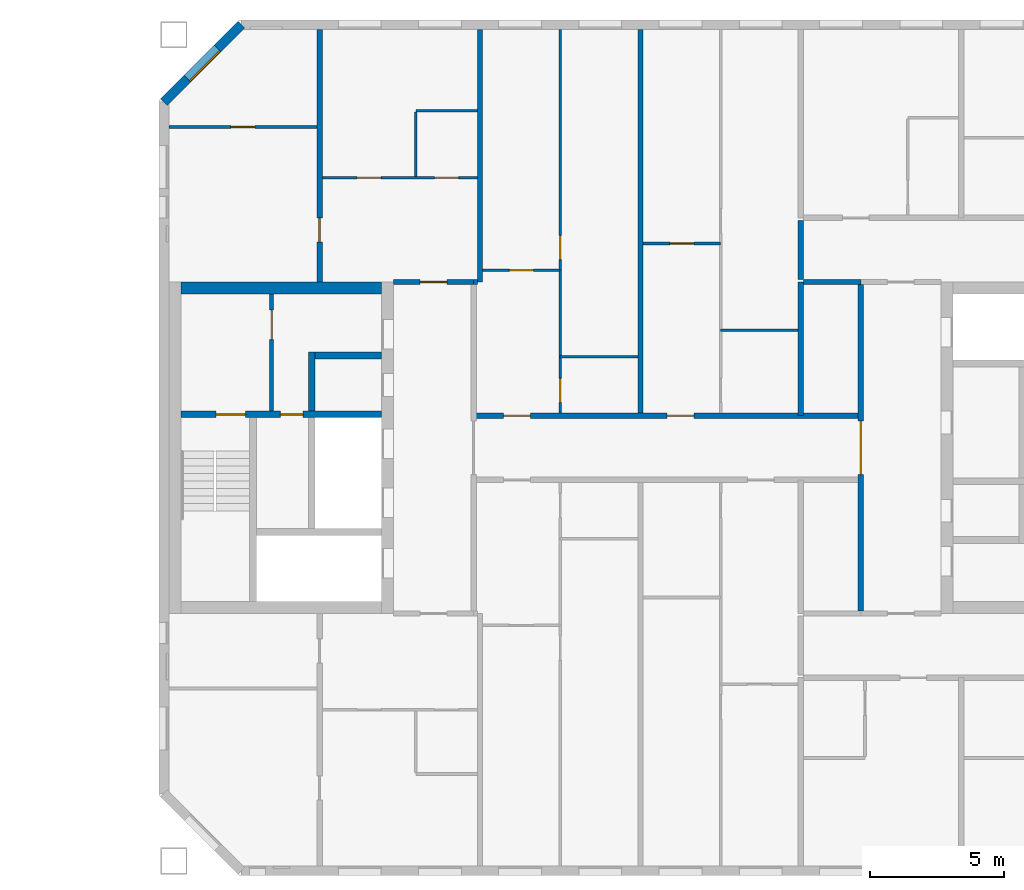
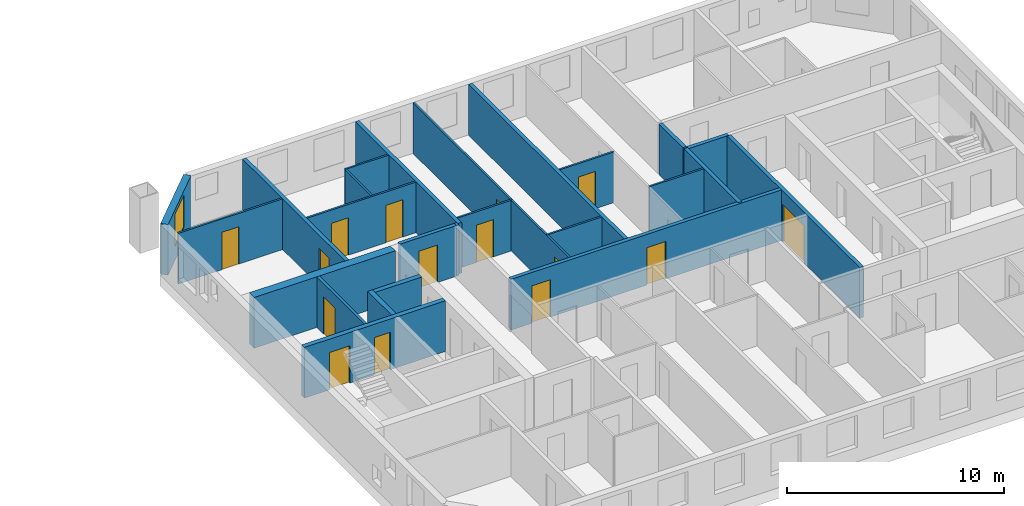
# One storey, part 11 of 16: 25 walls, 15 doors, 1 window, 16 openings.
"""IFC4 building model written with IfcOpenShell, lengths in metres."""

import ifcopenshell
import ifcopenshell.guid

model = None  # the IFC model being written
_history = None  # IfcOwnerHistory: only IFC2X3 demands one
_inside = {}  # id of a spatial element -> (the spatial element, [elements in it])
_under = {}  # id of a project, library or spatial element -> (it, [spatial elements below it])
_declared = {}  # id of a project -> (the project, [libraries it declares])
_typed = {}  # id of a type object -> (the type object, [elements of that type])
_made_of = {}  # id of a material, layer set ... -> (it, [elements and type objects made of it])


def new_model(schema):
    """Start an empty IFC model of exactly this schema.

    Asked for "IFC4X3", IfcOpenShell would pick the latest addendum, in which some entities
    have other attributes; the version numbers below select the first issue.
    IFC2X3 requires an IfcOwnerHistory on every rooted entity: one is made here for all.
    """
    global model, _history
    if schema == "IFC4X3":
        model = ifcopenshell.file(schema_version=(4, 3, 0, 0))
    else:
        model = ifcopenshell.file(schema=schema)
    _inside.clear()
    _under.clear()
    _declared.clear()
    _typed.clear()
    _made_of.clear()
    _history = None
    if model.schema == "IFC2X3":
        org = make("IfcOrganization", Name="unknown")
        user = make(
            "IfcPersonAndOrganization",
            ThePerson=make("IfcPerson", FamilyName="unknown"),
            TheOrganization=org,
        )
        app = make(
            "IfcApplication",
            ApplicationDeveloper=org,
            Version="unknown",
            ApplicationFullName="unknown",
            ApplicationIdentifier="unknown",
        )
        _history = make(
            "IfcOwnerHistory",
            OwningUser=user,
            OwningApplication=app,
            ChangeAction="ADDED",
            CreationDate=0,
        )
    return model


def make(cls, **values):
    """One entity of the class cls with the attributes given. An attribute that is None is left unset."""
    return model.create_entity(
        cls, **{name: value for name, value in values.items() if value is not None}
    )


def rooted(cls, **values):
    """An entity with a GlobalId (a new one), such as an element, a storey or a relation."""
    return make(cls, GlobalId=ifcopenshell.guid.new(), OwnerHistory=_history, **values)


def si_unit(unit_type, name, prefix=None):
    """IfcSIUnit, for example si_unit("LENGTHUNIT", "METRE", prefix="MILLI")."""
    return make("IfcSIUnit", UnitType=unit_type, Prefix=prefix, Name=name)


def assignment(units):
    """IfcUnitAssignment: the units of a project."""
    return None if units is None else make("IfcUnitAssignment", Units=units)


def point(xyz):
    """IfcCartesianPoint."""
    return None if xyz is None else make("IfcCartesianPoint", Coordinates=xyz)


def direction(xyz):
    """IfcDirection."""
    return None if xyz is None else make("IfcDirection", DirectionRatios=xyz)


def frame(location, z_axis=None, x_axis=None):
    """IfcAxis2Placement3D, a coordinate frame: its origin and axes. An axis left out is left unset."""
    return make(
        "IfcAxis2Placement3D",
        Location=point(location),
        Axis=direction(z_axis),
        RefDirection=direction(x_axis),
    )


def frame_2d(location, x_axis=None):
    """IfcAxis2Placement2D, a coordinate frame in the plane: its origin and x axis."""
    return make(
        "IfcAxis2Placement2D", Location=point(location), RefDirection=direction(x_axis)
    )


def origin():
    """The frame at (0, 0, 0) with its axes left unset."""
    return frame((0.0, 0.0, 0.0))


def place(relative_to, where):
    """IfcLocalPlacement: puts the frame where relative to a parent placement (None: the world)."""
    return make(
        "IfcLocalPlacement", PlacementRelTo=relative_to, RelativePlacement=where
    )


def context(
    kind, dimensions, precision=None, world=None, true_north=None, identifier=None
):
    """IfcGeometricRepresentationContext, for example the 3D "Model" context."""
    return make(
        "IfcGeometricRepresentationContext",
        ContextIdentifier=identifier,
        ContextType=kind,
        CoordinateSpaceDimension=dimensions,
        Precision=precision,
        WorldCoordinateSystem=world,
        TrueNorth=true_north,
    )


def subcontext(parent, identifier, kind, view, scale=None):
    """IfcGeometricRepresentationSubContext, for example "Body" below "Model"."""
    return make(
        "IfcGeometricRepresentationSubContext",
        ContextIdentifier=identifier,
        ContextType=kind,
        ParentContext=parent,
        TargetScale=scale,
        TargetView=view,
    )


def project(units=None, contexts=None):
    """IfcProject with its units and contexts."""
    return rooted(
        "IfcProject",
        Name="project",
        RepresentationContexts=contexts,
        UnitsInContext=assignment(units),
    )


def spatial(cls, under=None, at=None, **own):
    """A site, building, storey or space (cls), placed at a placement, below another one or the project."""
    s = rooted(cls, ObjectPlacement=at, **own)
    if under is not None:
        _under.setdefault(under.id(), (under, []))[1].append(s)
    return s


def profile(cls, at=None, kind="AREA", **sizes):
    """A parametric profile (cls). Its sizes go by their IFC names, for example OverallWidth=200.0."""
    return make(cls, ProfileType=kind, Position=at, **sizes)


def rectangle(**sizes):
    """IfcRectangleProfileDef."""
    return profile("IfcRectangleProfileDef", **sizes)


def extrude(swept, where, along, depth):
    """IfcExtrudedAreaSolid: the profile swept, set in the frame where, extruded along a direction by depth."""
    return make(
        "IfcExtrudedAreaSolid",
        SweptArea=swept,
        Position=where,
        ExtrudedDirection=direction(along),
        Depth=depth,
    )


def shape(context_of_items, identifier, shape_type, items):
    """IfcShapeRepresentation: the items that make up one representation, for example the "Body"."""
    return make(
        "IfcShapeRepresentation",
        ContextOfItems=context_of_items,
        RepresentationIdentifier=identifier,
        RepresentationType=shape_type,
        Items=items,
    )


def material(Name=None, Category=None):
    """IfcMaterial."""
    return make("IfcMaterial", Name=Name, Category=Category)


def layer(
    of_material, thickness, ventilated=None, Name=None, Category=None, Priority=None
):
    """IfcMaterialLayer: one layer of a wall or slab, of a material (None: an air gap)."""
    return make(
        "IfcMaterialLayer",
        Material=of_material,
        LayerThickness=thickness,
        IsVentilated=ventilated,
        Name=Name,
        Category=Category,
        Priority=Priority,
    )


def layer_set(layers, Name=None):
    """IfcMaterialLayerSet."""
    return make("IfcMaterialLayerSet", MaterialLayers=layers, LayerSetName=Name)


def made_of(thing, what):
    """Note that an element or type object is made of a material, layer set ...; save() writes the relation."""
    if what is not None:
        _made_of.setdefault(what.id(), (what, []))[1].append(thing)
    return thing


def type_object(cls, material=None, **own):
    """A type object (cls), such as IfcWallType, which elements share."""
    return made_of(rooted(cls, **own), material)


def element(
    cls,
    number,
    at=None,
    inside=None,
    cuts=None,
    type_object=None,
    material=None,
    context=None,
    identifier="Body",
    shape_type=None,
    held_by="IfcProductDefinitionShape",
    body=None,
    shapes=None,
    **own,
):
    """One element of the class cls, such as IfcWall. Its Tag is "e" and its number.

    at: its placement. inside: the storey or other place that contains it. cuts: it is an
    opening in that element (IfcRelVoidsElement). A single representation is given by context,
    identifier, shape_type and body (its items); several are given by shapes. held_by: the class
    of the entity that holds the representations. save() writes the other relations.
    """
    e = rooted(cls, Tag="e%d" % number, ObjectPlacement=at, **own)
    if body is not None:
        shapes = [shape(context, identifier, shape_type, body)]
    if shapes is not None:
        e.Representation = make(held_by, Representations=shapes)
    if inside is not None:
        _inside.setdefault(inside.id(), (inside, []))[1].append(e)
    if cuts is not None:
        rooted(
            "IfcRelVoidsElement", RelatingBuildingElement=cuts, RelatedOpeningElement=e
        )
    if type_object is not None:
        _typed.setdefault(type_object.id(), (type_object, []))[1].append(e)
    return made_of(e, material)


def fill(opening, filler):
    """IfcRelFillsElement: the door or window that sits in an opening."""
    return rooted(
        "IfcRelFillsElement",
        RelatingOpeningElement=opening,
        RelatedBuildingElement=filler,
    )


def aggregate(whole, parts):
    """IfcRelAggregates: a whole, such as a stair, and the parts it consists of."""
    return rooted("IfcRelAggregates", RelatingObject=whole, RelatedObjects=parts)


def save(model, path):
    """Write the relations noted so far, then the file.

    IfcRelAggregates (storeys below a building ...), IfcRelContainedInSpatialStructure (elements
    in a storey), IfcRelDefinesByType, IfcRelAssociatesMaterial and IfcRelDeclares: one each for
    every whole, place, type object, material and project.
    """
    for whole, parts in _under.values():
        aggregate(whole, parts)
    for where, things in _inside.values():
        rooted(
            "IfcRelContainedInSpatialStructure",
            RelatedElements=things,
            RelatingStructure=where,
        )
    for kind, things in _typed.values():
        rooted("IfcRelDefinesByType", RelatedObjects=things, RelatingType=kind)
    for what, things in _made_of.values():
        rooted("IfcRelAssociatesMaterial", RelatedObjects=things, RelatingMaterial=what)
    for by, libraries in _declared.values():
        rooted("IfcRelDeclares", RelatingContext=by, RelatedDefinitions=libraries)
    model.write(path)


model = new_model("IFC4")

# Units and contexts
model_context = context("Model", 3, precision=1e-05, world=origin(), true_north=direction((0.0, 1.0)))
body_context = subcontext(model_context, "Body", "Model", "MODEL_VIEW")
ifc_project = project(units=[si_unit("LENGTHUNIT", "METRE"), si_unit("AREAUNIT", "SQUARE_METRE"), si_unit("VOLUMEUNIT", "CUBIC_METRE"), si_unit("PLANEANGLEUNIT", "RADIAN"), si_unit("MASSUNIT", "GRAM", prefix="KILO")], contexts=[model_context])

# Site, building, storey
site_placement = place(None, origin())
site = spatial("IfcSite", under=ifc_project, at=site_placement, CompositionType="ELEMENT")
building_placement = place(site_placement, origin())
building = spatial("IfcBuilding", under=site, at=building_placement, Name="Tuart Gate Housing", CompositionType="ELEMENT")
storey_placement = place(building_placement, frame((0.0, 0.0, 175.800048828125)))
storey = spatial("IfcBuildingStorey", under=building, at=storey_placement, Name="L49", CompositionType="ELEMENT", Elevation=175.800048828125)

# Wall, opening, window
ifc_material_1 = material(Name="Brick", Category="masonry")
ifc_layer_1 = layer(ifc_material_1, 0.360107421875)
ifc_layer_set_1 = layer_set([ifc_layer_1], Name="Brick pier and spandrel wall 360")
wall_type_1 = type_object("IfcWallType", Name="Brick pier and spandrel wall 360", PredefinedType="STANDARD", material=ifc_layer_set_1)
wall_1_placement = place(storey_placement, frame((134.07470703125, 85.820068359375, 0.0), z_axis=(0.0, 0.0, 1.0), x_axis=(-0.707106781187, -0.707106781187, 0.0)))
wall_1 = element("IfcWall", 1, at=wall_1_placement, inside=storey, type_object=wall_type_1, Name="External wall B-NW L49", PredefinedType="STANDARD", context=body_context, shape_type="SweptSolid", body=[
    extrude(rectangle(XDim=4.09375, YDim=0.360107421875, at=frame_2d((2.046875, 0.0))), origin(), (0.0, 0.0, 1.0), 2.849853515625),
])
opening_1_placement = place(wall_1_placement, frame((1.2470703125, 0.0, 0.800048828125)))
opening_1 = element("IfcOpeningElement", 2, at=opening_1_placement, cuts=wall_1, Name="Opening W1", PredefinedType="OPENING", context=body_context, shape_type="SweptSolid", body=[
    extrude(rectangle(XDim=1.60009765625, YDim=1.800048828125, at=frame_2d((0.800048828125, 0.89990234375))), frame((0.0, 0.18994140625, 0.0), z_axis=(0.0, -1.0, 0.0), x_axis=(1.0, 0.0, 0.0)), (0.0, 0.0, 1.0), 0.380126953125),
])
ifc_material_2 = material(Name="Aluminium frame with clear glass", Category="aluminium")
window_type = type_object("IfcWindowType", Name="Punched window 1600 x 1800", PartitioningType="SINGLE_PANEL", PredefinedType="WINDOW", material=ifc_material_2)
window_placement = place(opening_1_placement, origin())
window = element("IfcWindow", 3, at=window_placement, inside=storey, type_object=window_type, Name="Window W1", OverallHeight=1.800048828125, OverallWidth=1.60009765625, PartitioningType="SINGLE_PANEL", PredefinedType="WINDOW", context=body_context, shape_type="SweptSolid", body=[
    extrude(rectangle(XDim=1.60009765625, YDim=1.800048828125, at=frame_2d((0.800048828125, 0.89990234375))), frame((0.0, 0.150146484375, 0.0), z_axis=(0.0, -1.0, 0.0), x_axis=(1.0, 0.0, 0.0)), (0.0, 0.0, 1.0), 0.06005859375),
])
fill(opening_1, window)

# Wall, opening, door
ifc_material_3 = material(Name="Plasterboard partition")
ifc_layer_2 = layer(ifc_material_3, 0.14990234375)
ifc_layer_set_2 = layer_set([ifc_layer_2], Name="Core partition 150")
wall_type_2 = type_object("IfcWallType", Name="Core partition 150", PredefinedType="PARTITIONING", material=ifc_layer_set_2)
wall_2_placement = place(storey_placement, frame((135.2099609375, 71.375, 0.0), z_axis=(0.0, 0.0, 1.0), x_axis=(0.0, 1.0, 0.0)))
wall_2 = element("IfcWall", 4, at=wall_2_placement, inside=storey, type_object=wall_type_2, Name="Core partition BG.6", PredefinedType="PARTITIONING", context=body_context, shape_type="SweptSolid", body=[
    extrude(rectangle(XDim=4.375, YDim=0.14990234375, at=frame_2d((2.1875, 0.0))), origin(), (0.0, 0.0, 1.0), 2.849853515625),
])
opening_2_placement = place(wall_2_placement, frame((2.675048828125, 0.0, 0.0)))
opening_2 = element("IfcOpeningElement", 5, at=opening_2_placement, cuts=wall_2, Name="Opening D1807", PredefinedType="OPENING", context=body_context, shape_type="SweptSolid", body=[
    extrude(rectangle(XDim=1.10009765625, YDim=2.10009765625, at=frame_2d((0.550048828125, 1.050048828125))), frame((0.0, 0.0849609375, 0.0), z_axis=(0.0, -1.0, 0.0), x_axis=(1.0, 0.0, 0.0)), (0.0, 0.0, 1.0), 0.169921875),
])
ifc_material_4 = material(Name="Steel fire door", Category="steel")
door_type_1 = type_object("IfcDoorType", Name="Lobby door 1100 x 2100 RH", OperationType="SINGLE_SWING_RIGHT", PredefinedType="DOOR", material=ifc_material_4)
door_1_placement = place(opening_2_placement, origin())
door_1 = element("IfcDoor", 6, at=door_1_placement, inside=storey, type_object=door_type_1, Name="Smoke lobby door BG.KD", OperationType="SINGLE_SWING_RIGHT", OverallHeight=2.10009765625, OverallWidth=1.10009765625, PredefinedType="DOOR", context=body_context, shape_type="SweptSolid", body=[
    extrude(rectangle(XDim=1.10009765625, YDim=2.10009765625, at=frame_2d((0.550048828125, 1.050048828125))), frame((0.0, 0.02490234375, 0.0), z_axis=(0.0, -1.0, 0.0), x_axis=(1.0, 0.0, 0.0)), (0.0, 0.0, 1.0), 0.050048828125),
])
fill(opening_2, door_1)

# Wall, openings, doors
ifc_material_5 = material(Name="Concrete C40", Category="concrete")
ifc_layer_3 = layer(ifc_material_5, 0.25)
ifc_layer_set_3 = layer_set([ifc_layer_3], Name="Core wall 250 C40")
wall_type_3 = type_object("IfcWallType", Name="Core wall 250 C40", PredefinedType="SHEAR", material=ifc_layer_set_3)
wall_3_placement = place(storey_placement, frame((139.31005859375, 71.25, 0.0), z_axis=(0.0, 0.0, 1.0), x_axis=(-1.0, 0.0, 0.0)))
wall_3 = element("IfcWall", 7, at=wall_3_placement, inside=storey, type_object=wall_type_3, Name="Core wall BG.2", PredefinedType="SHEAR", context=body_context, shape_type="SweptSolid", body=[
    extrude(rectangle(XDim=7.5, YDim=0.25, at=frame_2d((3.75, 0.0))), origin(), (0.0, 0.0, 1.0), 2.849853515625),
])
opening_3_placement = place(wall_3_placement, frame((5.074951171875, 0.0, 0.0)))
opening_3 = element("IfcOpeningElement", 8, at=opening_3_placement, cuts=wall_3, Name="Opening D1809", PredefinedType="OPENING", context=body_context, shape_type="SweptSolid", body=[
    extrude(rectangle(XDim=1.10009765625, YDim=2.10009765625, at=frame_2d((0.550048828125, 1.050048828125))), frame((0.0, 0.135009765625, 0.0), z_axis=(0.0, -1.0, 0.0), x_axis=(1.0, 0.0, 0.0)), (0.0, 0.0, 1.0), 0.27001953125),
])
opening_4_placement = place(wall_3_placement, frame((2.925048828125, 0.0, 0.0)))
opening_4 = element("IfcOpeningElement", 9, at=opening_4_placement, cuts=wall_3, Name="Opening D1808", PredefinedType="OPENING", context=body_context, shape_type="SweptSolid", body=[
    extrude(rectangle(XDim=0.85009765625, YDim=2.10009765625, at=frame_2d((0.425048828125, 1.050048828125))), frame((0.0, 0.135009765625, 0.0), z_axis=(0.0, -1.0, 0.0), x_axis=(1.0, 0.0, 0.0)), (0.0, 0.0, 1.0), 0.27001953125),
])
ifc_material_6 = material(Name="Steel fire door", Category="steel")
door_type_2 = type_object("IfcDoorType", Name="Riser door 850 x 2100", OperationType="SINGLE_SWING_LEFT", PredefinedType="DOOR", material=ifc_material_6)
door_2_placement = place(opening_4_placement, origin())
door_2 = element("IfcDoor", 10, at=door_2_placement, inside=storey, type_object=door_type_2, Name="Service room door BG.W1", OperationType="SINGLE_SWING_LEFT", OverallHeight=2.10009765625, OverallWidth=0.85009765625, PredefinedType="DOOR", context=body_context, shape_type="SweptSolid", body=[
    extrude(rectangle(XDim=0.85009765625, YDim=2.10009765625, at=frame_2d((0.425048828125, 1.050048828125))), frame((0.0, 0.02490234375, 0.0), z_axis=(0.0, -1.0, 0.0), x_axis=(1.0, 0.0, 0.0)), (0.0, 0.0, 1.0), 0.050048828125),
])
fill(opening_4, door_2)
ifc_material_7 = material(Name="Steel fire door", Category="steel")
door_type_3 = type_object("IfcDoorType", Name="Stair door 1100 x 2100", OperationType="SINGLE_SWING_LEFT", PredefinedType="DOOR", material=ifc_material_7)
door_3_placement = place(opening_3_placement, origin())
door_3 = element("IfcDoor", 11, at=door_3_placement, inside=storey, type_object=door_type_3, Name="Stair door BG.SD", OperationType="SINGLE_SWING_LEFT", OverallHeight=2.10009765625, OverallWidth=1.10009765625, PredefinedType="DOOR", context=body_context, shape_type="SweptSolid", body=[
    extrude(rectangle(XDim=1.10009765625, YDim=2.10009765625, at=frame_2d((0.550048828125, 1.050048828125))), frame((0.0, 0.02490234375, 0.0), z_axis=(0.0, -1.0, 0.0), x_axis=(1.0, 0.0, 0.0)), (0.0, 0.0, 1.0), 0.050048828125),
])
fill(opening_3, door_3)

# Walls
wall_4_placement = place(storey_placement, frame((139.31005859375, 73.449951171875, 0.0), z_axis=(0.0, 0.0, 1.0), x_axis=(-1.0, 0.0, 0.0)))
element("IfcWall", 12, at=wall_4_placement, inside=storey, type_object=wall_type_3, Name="Core wall BG.3", PredefinedType="SHEAR", context=body_context, shape_type="SweptSolid", body=[
    extrude(rectangle(XDim=2.47509765625, YDim=0.25, at=frame_2d((1.237548828125, 0.0))), origin(), (0.0, 0.0, 1.0), 2.849853515625),
])
wall_5_placement = place(storey_placement, frame((136.7099609375, 71.375, 0.0), z_axis=(0.0, 0.0, 1.0), x_axis=(0.0, 1.0, 0.0)))
element("IfcWall", 13, at=wall_5_placement, inside=storey, type_object=wall_type_3, Name="Core wall BG.5", PredefinedType="SHEAR", context=body_context, shape_type="SweptSolid", body=[
    extrude(rectangle(XDim=2.199951171875, YDim=0.25, at=frame_2d((1.10009765625, 0.0))), origin(), (0.0, 0.0, 1.0), 2.849853515625),
])
ifc_material_8 = material(Name="Concrete C40", Category="concrete")
ifc_layer_4 = layer(ifc_material_8, 0.449951171875)
ifc_layer_set_4 = layer_set([ifc_layer_4], Name="Core wall 450 C40")
wall_type_4 = type_object("IfcWallType", Name="Core wall 450 C40", PredefinedType="SHEAR", material=ifc_layer_set_4)
wall_6_placement = place(storey_placement, frame((139.31005859375, 75.97509765625, 0.0), z_axis=(0.0, 0.0, 1.0), x_axis=(-1.0, 0.0, 0.0)))
element("IfcWall", 14, at=wall_6_placement, inside=storey, type_object=wall_type_4, Name="Core wall BG north", PredefinedType="SHEAR", context=body_context, shape_type="SweptSolid", body=[
    extrude(rectangle(XDim=7.5, YDim=0.449951171875, at=frame_2d((3.75, 0.0))), origin(), (0.0, 0.0, 1.0), 2.849853515625),
])

# Wall, openings, doors
ifc_material_9 = material(Name="Concrete masonry 15 MPa", Category="masonry")
ifc_layer_5 = layer(ifc_material_9, 0.199951171875)
ifc_layer_set_5 = layer_set([ifc_layer_5], Name="Corridor wall masonry 200")
wall_type_5 = type_object("IfcWallType", Name="Corridor wall masonry 200", PredefinedType="PARTITIONING", material=ifc_layer_set_5)
wall_7_placement = place(storey_placement, frame((142.760009765625, 71.199951171875, 0.0), z_axis=(0.0, 0.0, 1.0), x_axis=(1.0, 0.0, 0.0)))
wall_7 = element("IfcWall", 15, at=wall_7_placement, inside=storey, type_object=wall_type_5, Name="Corridor wall masonry 200", PredefinedType="PARTITIONING", context=body_context, shape_type="SweptSolid", body=[
    extrude(rectangle(XDim=14.47998046875, YDim=0.199951171875, at=frame_2d((7.239990234375, 0.0))), origin(), (0.0, 0.0, 1.0), 2.849853515625),
])
opening_5_placement = place(wall_7_placement, frame((1.1201171875, 0.0, 0.0)))
opening_5 = element("IfcOpeningElement", 16, at=opening_5_placement, cuts=wall_7, Name="Opening D1810", PredefinedType="OPENING", context=body_context, shape_type="SweptSolid", body=[
    extrude(rectangle(XDim=1.0, YDim=2.10009765625, at=frame_2d((0.5, 1.050048828125))), frame((0.0, 0.10986328125, 0.0), z_axis=(0.0, -1.0, 0.0), x_axis=(1.0, 0.0, 0.0)), (0.0, 0.0, 1.0), 0.219970703125),
])
opening_6_placement = place(wall_7_placement, frame((7.239990234375, 0.0, 0.0)))
opening_6 = element("IfcOpeningElement", 17, at=opening_6_placement, cuts=wall_7, Name="Opening D1811", PredefinedType="OPENING", context=body_context, shape_type="SweptSolid", body=[
    extrude(rectangle(XDim=1.0, YDim=2.10009765625, at=frame_2d((0.5, 1.050048828125))), frame((0.0, 0.10986328125, 0.0), z_axis=(0.0, -1.0, 0.0), x_axis=(1.0, 0.0, 0.0)), (0.0, 0.0, 1.0), 0.219970703125),
])
ifc_material_10 = material(Name="Timber door leaf in steel frame", Category="steel")
door_type_4 = type_object("IfcDoorType", Name="Flat entrance door 1000", OperationType="SINGLE_SWING_LEFT", PredefinedType="DOOR", material=ifc_material_10)
door_4_placement = place(opening_5_placement, origin())
door_4 = element("IfcDoor", 18, at=door_4_placement, inside=storey, type_object=door_type_4, Name="Flat entrance door", OperationType="SINGLE_SWING_LEFT", OverallHeight=2.10009765625, OverallWidth=1.0, PredefinedType="DOOR", context=body_context, shape_type="SweptSolid", body=[
    extrude(rectangle(XDim=1.0, YDim=2.10009765625, at=frame_2d((0.5, 1.050048828125))), frame((0.0, 0.02490234375, 0.0), z_axis=(0.0, -1.0, 0.0), x_axis=(1.0, 0.0, 0.0)), (0.0, 0.0, 1.0), 0.050048828125),
])
fill(opening_5, door_4)
door_5_placement = place(opening_6_placement, origin())
door_5 = element("IfcDoor", 19, at=door_5_placement, inside=storey, type_object=door_type_4, Name="Flat entrance door", OperationType="SINGLE_SWING_LEFT", OverallHeight=2.10009765625, OverallWidth=1.0, PredefinedType="DOOR", context=body_context, shape_type="SweptSolid", body=[
    extrude(rectangle(XDim=1.0, YDim=2.10009765625, at=frame_2d((0.5, 1.050048828125))), frame((0.0, 0.02490234375, 0.0), z_axis=(0.0, -1.0, 0.0), x_axis=(1.0, 0.0, 0.0)), (0.0, 0.0, 1.0), 0.050048828125),
])
fill(opening_6, door_5)

# Walls
wall_8_placement = place(storey_placement, frame((155.10009765625, 76.199951171875, 0.0), z_axis=(0.0, 0.0, 1.0), x_axis=(1.0, 0.0, 0.0)))
element("IfcWall", 20, at=wall_8_placement, inside=storey, type_object=wall_type_5, Name="Corridor wall masonry 200", PredefinedType="PARTITIONING", context=body_context, shape_type="SweptSolid", body=[
    extrude(rectangle(XDim=2.139892578125, YDim=0.199951171875, at=frame_2d((1.06982421875, 0.0))), origin(), (0.0, 0.0, 1.0), 2.849853515625),
])
wall_9_placement = place(storey_placement, frame((155.0, 76.300048828125, 0.0), z_axis=(0.0, 0.0, 1.0), x_axis=(0.0, 1.0, 0.0)))
element("IfcWall", 21, at=wall_9_placement, inside=storey, type_object=wall_type_5, Name="Corridor wall masonry 200", PredefinedType="PARTITIONING", context=body_context, shape_type="SweptSolid", body=[
    extrude(rectangle(XDim=2.199951171875, YDim=0.199951171875, at=frame_2d((1.10009765625, 0.0))), origin(), (0.0, 0.0, 1.0), 2.849853515625),
])

# Wall, opening, door
ifc_material_11 = material(Name="Concrete masonry 15 MPa", Category="masonry")
ifc_layer_6 = layer(ifc_material_11, 0.199951171875)
ifc_layer_set_6 = layer_set([ifc_layer_6], Name="Enclosure wall masonry 200")
wall_type_6 = type_object("IfcWallType", Name="Enclosure wall masonry 200", PredefinedType="PARTITIONING", material=ifc_layer_set_6)
wall_10_placement = place(storey_placement, frame((139.760009765625, 76.199951171875, 0.0), z_axis=(0.0, 0.0, 1.0), x_axis=(1.0, 0.0, 0.0)))
wall_10 = element("IfcWall", 22, at=wall_10_placement, inside=storey, type_object=wall_type_6, Name="Enclosure wall masonry 200", PredefinedType="PARTITIONING", context=body_context, shape_type="SweptSolid", body=[
    extrude(rectangle(XDim=3.0, YDim=0.199951171875, at=frame_2d((1.5, 0.0))), origin(), (0.0, 0.0, 1.0), 2.849853515625),
])
opening_7_placement = place(wall_10_placement, frame((1.0, 0.0, 0.0)))
opening_7 = element("IfcOpeningElement", 23, at=opening_7_placement, cuts=wall_10, Name="Opening D1805", PredefinedType="OPENING", context=body_context, shape_type="SweptSolid", body=[
    extrude(rectangle(XDim=1.0, YDim=2.10009765625, at=frame_2d((0.5, 1.050048828125))), frame((0.0, 0.10986328125, 0.0), z_axis=(0.0, -1.0, 0.0), x_axis=(1.0, 0.0, 0.0)), (0.0, 0.0, 1.0), 0.219970703125),
])
ifc_material_12 = material(Name="Timber door leaf in steel frame", Category="steel")
door_type_5 = type_object("IfcDoorType", Name="Flat entrance door 1000 RH", OperationType="SINGLE_SWING_RIGHT", PredefinedType="DOOR", material=ifc_material_12)
door_6_placement = place(opening_7_placement, origin())
door_6 = element("IfcDoor", 24, at=door_6_placement, inside=storey, type_object=door_type_5, Name="Flat entrance door", OperationType="SINGLE_SWING_RIGHT", OverallHeight=2.10009765625, OverallWidth=1.0, PredefinedType="DOOR", context=body_context, shape_type="SweptSolid", body=[
    extrude(rectangle(XDim=1.0, YDim=2.10009765625, at=frame_2d((0.5, 1.050048828125))), frame((0.0, 0.02490234375, 0.0), z_axis=(0.0, -1.0, 0.0), x_axis=(1.0, 0.0, 0.0)), (0.0, 0.0, 1.0), 0.050048828125),
])
fill(opening_7, door_6)

ifc_material_13 = material(Name="Plasterboard partition")
ifc_layer_7 = layer(ifc_material_13, 0.199951171875)
ifc_layer_set_7 = layer_set([ifc_layer_7], Name="Lobby wall 200")
wall_type_7 = type_object("IfcWallType", Name="Lobby wall 200", PredefinedType="PARTITIONING", material=ifc_layer_set_7)
wall_11_placement = place(storey_placement, frame((157.239990234375, 63.89990234375, 0.0), z_axis=(0.0, 0.0, 1.0), x_axis=(0.0, 1.0, 0.0)))
wall_11 = element("IfcWall", 25, at=wall_11_placement, inside=storey, type_object=wall_type_7, Name="Lift lobby wall BK", PredefinedType="PARTITIONING", context=body_context, shape_type="SweptSolid", body=[
    extrude(rectangle(XDim=12.2001953125, YDim=0.199951171875, at=frame_2d((6.10009765625, 0.0))), origin(), (0.0, 0.0, 1.0), 2.849853515625),
])
opening_8_placement = place(wall_11_placement, frame((5.10009765625, 0.0, 0.0)))
opening_8 = element("IfcOpeningElement", 26, at=opening_8_placement, cuts=wall_11, Name="Opening D1816", PredefinedType="OPENING", context=body_context, shape_type="SweptSolid", body=[
    extrude(rectangle(XDim=2.0, YDim=2.10009765625, at=frame_2d((1.0, 1.050048828125))), frame((0.0, 0.10986328125, 0.0), z_axis=(0.0, -1.0, 0.0), x_axis=(1.0, 0.0, 0.0)), (0.0, 0.0, 1.0), 0.219970703125),
])
ifc_material_14 = material(Name="Steel fire door", Category="steel")
door_type_6 = type_object("IfcDoorType", Name="Smoke door 2000 x 2100", OperationType="DOUBLE_DOOR_SINGLE_SWING", PredefinedType="DOOR", material=ifc_material_14)
door_7_placement = place(opening_8_placement, frame((2.0, 0.0, 0.0), z_axis=(0.0, 0.0, 1.0), x_axis=(-1.0, 0.0, 0.0)))
door_7 = element("IfcDoor", 27, at=door_7_placement, inside=storey, type_object=door_type_6, Name="Lift lobby smoke door BK", OperationType="DOUBLE_DOOR_SINGLE_SWING", OverallHeight=2.10009765625, OverallWidth=2.0, PredefinedType="DOOR", context=body_context, shape_type="SweptSolid", body=[
    extrude(rectangle(XDim=2.0, YDim=2.10009765625, at=frame_2d((1.0, 1.050048828125))), frame((0.0, 0.025146484375, 0.0), z_axis=(0.0, -1.0, 0.0), x_axis=(1.0, 0.0, 0.0)), (0.0, 0.0, 1.0), 0.050048828125),
])
fill(opening_8, door_7)

# Walls
ifc_material_15 = material(Name="Gypsum board on steel studs", Category="steel")
ifc_layer_8 = layer(ifc_material_15, 0.10009765625)
ifc_layer_set_8 = layer_set([ifc_layer_8], Name="Partition 100")
wall_type_8 = type_object("IfcWallType", Name="Partition 100", PredefinedType="PARTITIONING", material=ifc_layer_set_8)
for number, where, z_axis, x_axis, name in (
    (28, (146.0, 73.39990234375, 0.0), (0.0, 0.0, 1.0), (1.0, 0.0, 0.0), "Partition 100"),
    (29, (152.0, 74.39990234375, 0.0), (0.0, 0.0, 1.0), (1.0, 0.0, 0.0), "Partition 100"),
):
    element("IfcWall", number, at=place(storey_placement, frame(where, z_axis=z_axis, x_axis=x_axis)), inside=storey, type_object=wall_type_8, Name=name, PredefinedType="PARTITIONING", context=body_context, shape_type="SweptSolid", body=[
        extrude(rectangle(XDim=2.89990234375, YDim=0.10009765625, at=frame_2d((1.449951171875, 0.0))), origin(), (0.0, 0.0, 1.0), 2.849853515625),
    ])

# Wall, opening, door
wall_12_placement = place(storey_placement, frame((143.10009765625, 76.639892578125, 0.0), z_axis=(0.0, 0.0, 1.0), x_axis=(1.0, 0.0, 0.0)))
wall_12 = element("IfcWall", 30, at=wall_12_placement, inside=storey, type_object=wall_type_8, Name="Partition 100", PredefinedType="PARTITIONING", context=body_context, shape_type="SweptSolid", body=[
    extrude(rectangle(XDim=2.89990234375, YDim=0.10009765625, at=frame_2d((1.449951171875, 0.0))), origin(), (0.0, 0.0, 1.0), 2.849853515625),
])
opening_9_placement = place(wall_12_placement, frame((1.0, 0.0, 0.0)))
opening_9 = element("IfcOpeningElement", 31, at=opening_9_placement, cuts=wall_12, Name="Opening D1804", PredefinedType="OPENING", context=body_context, shape_type="SweptSolid", body=[
    extrude(rectangle(XDim=0.89990234375, YDim=2.10009765625, at=frame_2d((0.449951171875, 1.050048828125))), frame((0.0, 0.06005859375, 0.0), z_axis=(0.0, -1.0, 0.0), x_axis=(1.0, 0.0, 0.0)), (0.0, 0.0, 1.0), 0.1201171875),
])
ifc_material_16 = material(Name="Timber door leaf in steel frame", Category="steel")
door_type_7 = type_object("IfcDoorType", Name="Internal door 900", OperationType="SINGLE_SWING_LEFT", PredefinedType="DOOR", material=ifc_material_16)
door_8_placement = place(opening_9_placement, frame((0.89990234375, 0.0, 0.0), z_axis=(0.0, 0.0, 1.0), x_axis=(-1.0, 0.0, 0.0)))
door_8 = element("IfcDoor", 32, at=door_8_placement, inside=storey, type_object=door_type_7, Name="Internal door", OperationType="SINGLE_SWING_LEFT", OverallHeight=2.10009765625, OverallWidth=0.89990234375, PredefinedType="DOOR", context=body_context, shape_type="SweptSolid", body=[
    extrude(rectangle(XDim=0.89990234375, YDim=2.10009765625, at=frame_2d((0.449951171875, 1.050048828125))), frame((0.0, 0.025146484375, 0.0), z_axis=(0.0, -1.0, 0.0), x_axis=(1.0, 0.0, 0.0)), (0.0, 0.0, 1.0), 0.050048828125),
])
fill(opening_9, door_8)

wall_13_placement = place(storey_placement, frame((149.10009765625, 77.639892578125, 0.0), z_axis=(0.0, 0.0, 1.0), x_axis=(1.0, 0.0, 0.0)))
wall_13 = element("IfcWall", 33, at=wall_13_placement, inside=storey, type_object=wall_type_8, Name="Partition 100", PredefinedType="PARTITIONING", context=body_context, shape_type="SweptSolid", body=[
    extrude(rectangle(XDim=2.89990234375, YDim=0.10009765625, at=frame_2d((1.449951171875, 0.0))), origin(), (0.0, 0.0, 1.0), 2.849853515625),
])
opening_10_placement = place(wall_13_placement, frame((1.0, 0.0, 0.0)))
opening_10 = element("IfcOpeningElement", 34, at=opening_10_placement, cuts=wall_13, Name="Opening D1803", PredefinedType="OPENING", context=body_context, shape_type="SweptSolid", body=[
    extrude(rectangle(XDim=0.89990234375, YDim=2.10009765625, at=frame_2d((0.449951171875, 1.050048828125))), frame((0.0, 0.06005859375, 0.0), z_axis=(0.0, -1.0, 0.0), x_axis=(1.0, 0.0, 0.0)), (0.0, 0.0, 1.0), 0.1201171875),
])
door_9_placement = place(opening_10_placement, frame((0.89990234375, 0.0, 0.0), z_axis=(0.0, 0.0, 1.0), x_axis=(-1.0, 0.0, 0.0)))
door_9 = element("IfcDoor", 35, at=door_9_placement, inside=storey, type_object=door_type_7, Name="Internal door", OperationType="SINGLE_SWING_LEFT", OverallHeight=2.10009765625, OverallWidth=0.89990234375, PredefinedType="DOOR", context=body_context, shape_type="SweptSolid", body=[
    extrude(rectangle(XDim=0.89990234375, YDim=2.10009765625, at=frame_2d((0.449951171875, 1.050048828125))), frame((0.0, 0.025146484375, 0.0), z_axis=(0.0, -1.0, 0.0), x_axis=(1.0, 0.0, 0.0)), (0.0, 0.0, 1.0), 0.050048828125),
])
fill(opening_10, door_9)

# Wall, openings, doors
wall_14_placement = place(storey_placement, frame((137.10009765625, 80.10009765625, 0.0), z_axis=(0.0, 0.0, 1.0), x_axis=(1.0, 0.0, 0.0)))
wall_14 = element("IfcWall", 36, at=wall_14_placement, inside=storey, type_object=wall_type_8, Name="Partition 100", PredefinedType="PARTITIONING", context=body_context, shape_type="SweptSolid", body=[
    extrude(rectangle(XDim=5.7998046875, YDim=0.10009765625, at=frame_2d((2.89990234375, 0.0))), origin(), (0.0, 0.0, 1.0), 2.849853515625),
])
opening_11_placement = place(wall_14_placement, frame((1.300048828125, 0.0, 0.0)))
opening_11 = element("IfcOpeningElement", 37, at=opening_11_placement, cuts=wall_14, Name="Opening D1796", PredefinedType="OPENING", context=body_context, shape_type="SweptSolid", body=[
    extrude(rectangle(XDim=0.89990234375, YDim=2.10009765625, at=frame_2d((0.449951171875, 1.050048828125))), frame((0.0, 0.06005859375, 0.0), z_axis=(0.0, -1.0, 0.0), x_axis=(1.0, 0.0, 0.0)), (0.0, 0.0, 1.0), 0.1201171875),
])
opening_12_placement = place(wall_14_placement, frame((4.199951171875, 0.0, 0.0)))
opening_12 = element("IfcOpeningElement", 38, at=opening_12_placement, cuts=wall_14, Name="Opening D1795", PredefinedType="OPENING", context=body_context, shape_type="SweptSolid", body=[
    extrude(rectangle(XDim=0.89990234375, YDim=2.10009765625, at=frame_2d((0.449951171875, 1.050048828125))), frame((0.0, 0.06005859375, 0.0), z_axis=(0.0, -1.0, 0.0), x_axis=(1.0, 0.0, 0.0)), (0.0, 0.0, 1.0), 0.1201171875),
])
ifc_material_17 = material(Name="Timber door leaf in steel frame", Category="steel")
door_type_8 = type_object("IfcDoorType", Name="Bathroom door 900", OperationType="SINGLE_SWING_LEFT", PredefinedType="DOOR", material=ifc_material_17)
door_10_placement = place(opening_12_placement, origin())
door_10 = element("IfcDoor", 39, at=door_10_placement, inside=storey, type_object=door_type_8, Name="Bathroom door", OperationType="SINGLE_SWING_LEFT", OverallHeight=2.10009765625, OverallWidth=0.89990234375, PredefinedType="DOOR", context=body_context, shape_type="SweptSolid", body=[
    extrude(rectangle(XDim=0.89990234375, YDim=2.10009765625, at=frame_2d((0.449951171875, 1.050048828125))), frame((0.0, 0.02490234375, 0.0), z_axis=(0.0, -1.0, 0.0), x_axis=(1.0, 0.0, 0.0)), (0.0, 0.0, 1.0), 0.050048828125),
])
fill(opening_12, door_10)
ifc_material_18 = material(Name="Timber door leaf in steel frame", Category="steel")
door_type_9 = type_object("IfcDoorType", Name="Internal door 900 RH", OperationType="SINGLE_SWING_RIGHT", PredefinedType="DOOR", material=ifc_material_18)
door_11_placement = place(opening_11_placement, origin())
door_11 = element("IfcDoor", 40, at=door_11_placement, inside=storey, type_object=door_type_9, Name="Internal door", OperationType="SINGLE_SWING_RIGHT", OverallHeight=2.10009765625, OverallWidth=0.89990234375, PredefinedType="DOOR", context=body_context, shape_type="SweptSolid", body=[
    extrude(rectangle(XDim=0.89990234375, YDim=2.10009765625, at=frame_2d((0.449951171875, 1.050048828125))), frame((0.0, 0.02490234375, 0.0), z_axis=(0.0, -1.0, 0.0), x_axis=(1.0, 0.0, 0.0)), (0.0, 0.0, 1.0), 0.050048828125),
])
fill(opening_11, door_11)

# Wall, opening, door
wall_15_placement = place(storey_placement, frame((131.360107421875, 82.0, 0.0), z_axis=(0.0, 0.0, 1.0), x_axis=(1.0, 0.0, 0.0)))
wall_15 = element("IfcWall", 41, at=wall_15_placement, inside=storey, type_object=wall_type_8, Name="Partition 100", PredefinedType="PARTITIONING", context=body_context, shape_type="SweptSolid", body=[
    extrude(rectangle(XDim=5.539794921875, YDim=0.10009765625, at=frame_2d((2.77001953125, 0.0))), origin(), (0.0, 0.0, 1.0), 2.849853515625),
])
opening_13_placement = place(wall_15_placement, frame((2.320068359375, 0.0, 0.0)))
opening_13 = element("IfcOpeningElement", 42, at=opening_13_placement, cuts=wall_15, Name="Opening D1791", PredefinedType="OPENING", context=body_context, shape_type="SweptSolid", body=[
    extrude(rectangle(XDim=0.89990234375, YDim=2.10009765625, at=frame_2d((0.449951171875, 1.050048828125))), frame((0.0, 0.06005859375, 0.0), z_axis=(0.0, -1.0, 0.0), x_axis=(1.0, 0.0, 0.0)), (0.0, 0.0, 1.0), 0.1201171875),
])
door_12_placement = place(opening_13_placement, origin())
door_12 = element("IfcDoor", 43, at=door_12_placement, inside=storey, type_object=door_type_7, Name="Internal door", OperationType="SINGLE_SWING_LEFT", OverallHeight=2.10009765625, OverallWidth=0.89990234375, PredefinedType="DOOR", context=body_context, shape_type="SweptSolid", body=[
    extrude(rectangle(XDim=0.89990234375, YDim=2.10009765625, at=frame_2d((0.449951171875, 1.050048828125))), frame((0.0, 0.02490234375, 0.0), z_axis=(0.0, -1.0, 0.0), x_axis=(1.0, 0.0, 0.0)), (0.0, 0.0, 1.0), 0.050048828125),
])
fill(opening_13, door_12)

# Walls
wall_16_placement = place(storey_placement, frame((140.60009765625, 82.60009765625, 0.0), z_axis=(0.0, 0.0, 1.0), x_axis=(1.0, 0.0, 0.0)))
element("IfcWall", 44, at=wall_16_placement, inside=storey, type_object=wall_type_8, Name="Partition 100", PredefinedType="PARTITIONING", context=body_context, shape_type="SweptSolid", body=[
    extrude(rectangle(XDim=2.2998046875, YDim=0.10009765625, at=frame_2d((1.14990234375, 0.0))), origin(), (0.0, 0.0, 1.0), 2.849853515625),
])
wall_17_placement = place(storey_placement, frame((140.60009765625, 80.14990234375, 0.0), z_axis=(0.0, 0.0, 1.0), x_axis=(0.0, 1.0, 0.0)))
element("IfcWall", 45, at=wall_17_placement, inside=storey, type_object=wall_type_8, Name="Partition 100", PredefinedType="PARTITIONING", context=body_context, shape_type="SweptSolid", body=[
    extrude(rectangle(XDim=2.400146484375, YDim=0.10009765625, at=frame_2d((1.2001953125, 0.0))), origin(), (0.0, 0.0, 1.0), 2.849853515625),
])

# Wall, openings, doors
wall_18_placement = place(storey_placement, frame((146.0, 71.300048828125, 0.0), z_axis=(0.0, 0.0, 1.0), x_axis=(0.0, 1.0, 0.0)))
wall_18 = element("IfcWall", 46, at=wall_18_placement, inside=storey, type_object=wall_type_8, Name="Partition 100", PredefinedType="PARTITIONING", context=body_context, shape_type="SweptSolid", body=[
    extrude(rectangle(XDim=14.33984375, YDim=0.10009765625, at=frame_2d((7.169921875, 0.0))), origin(), (0.0, 0.0, 1.0), 2.849853515625),
])
opening_14_placement = place(wall_18_placement, frame((5.739990234375, 0.0, 0.0)))
opening_14 = element("IfcOpeningElement", 47, at=opening_14_placement, cuts=wall_18, Name="Opening D1800", PredefinedType="OPENING", context=body_context, shape_type="SweptSolid", body=[
    extrude(rectangle(XDim=0.89990234375, YDim=2.10009765625, at=frame_2d((0.449951171875, 1.050048828125))), frame((0.0, 0.06005859375, 0.0), z_axis=(0.0, -1.0, 0.0), x_axis=(1.0, 0.0, 0.0)), (0.0, 0.0, 1.0), 0.1201171875),
])
opening_15_placement = place(wall_18_placement, frame((0.39990234375, 0.0, 0.0)))
opening_15 = element("IfcOpeningElement", 48, at=opening_15_placement, cuts=wall_18, Name="Opening D1799", PredefinedType="OPENING", context=body_context, shape_type="SweptSolid", body=[
    extrude(rectangle(XDim=0.89990234375, YDim=2.10009765625, at=frame_2d((0.449951171875, 1.050048828125))), frame((0.0, 0.06005859375, 0.0), z_axis=(0.0, -1.0, 0.0), x_axis=(1.0, 0.0, 0.0)), (0.0, 0.0, 1.0), 0.1201171875),
])
ifc_material_19 = material(Name="Timber door leaf in steel frame", Category="steel")
door_type_10 = type_object("IfcDoorType", Name="Bathroom door 900 RH", OperationType="SINGLE_SWING_RIGHT", PredefinedType="DOOR", material=ifc_material_19)
door_13_placement = place(opening_15_placement, frame((0.89990234375, 0.0, 0.0), z_axis=(0.0, 0.0, 1.0), x_axis=(-1.0, 0.0, 0.0)))
door_13 = element("IfcDoor", 49, at=door_13_placement, inside=storey, type_object=door_type_10, Name="Bathroom door", OperationType="SINGLE_SWING_RIGHT", OverallHeight=2.10009765625, OverallWidth=0.89990234375, PredefinedType="DOOR", context=body_context, shape_type="SweptSolid", body=[
    extrude(rectangle(XDim=0.89990234375, YDim=2.10009765625, at=frame_2d((0.449951171875, 1.050048828125))), frame((0.0, 0.025146484375, 0.0), z_axis=(0.0, -1.0, 0.0), x_axis=(1.0, 0.0, 0.0)), (0.0, 0.0, 1.0), 0.050048828125),
])
fill(opening_15, door_13)
door_14_placement = place(opening_14_placement, frame((0.89990234375, 0.0, 0.0), z_axis=(0.0, 0.0, 1.0), x_axis=(-1.0, 0.0, 0.0)))
door_14 = element("IfcDoor", 50, at=door_14_placement, inside=storey, type_object=door_type_9, Name="Internal door", OperationType="SINGLE_SWING_RIGHT", OverallHeight=2.10009765625, OverallWidth=0.89990234375, PredefinedType="DOOR", context=body_context, shape_type="SweptSolid", body=[
    extrude(rectangle(XDim=0.89990234375, YDim=2.10009765625, at=frame_2d((0.449951171875, 1.050048828125))), frame((0.0, 0.025146484375, 0.0), z_axis=(0.0, -1.0, 0.0), x_axis=(1.0, 0.0, 0.0)), (0.0, 0.0, 1.0), 0.050048828125),
])
fill(opening_14, door_14)

# Wall, opening, door
ifc_material_20 = material(Name="Concrete C40", Category="concrete")
ifc_layer_9 = layer(ifc_material_20, 0.199951171875)
ifc_layer_set_9 = layer_set([ifc_layer_9], Name="Party wall concrete C40 200")
wall_type_9 = type_object("IfcWallType", Name="Party wall concrete C40 200", PredefinedType="SOLIDWALL", material=ifc_layer_set_9)
wall_19_placement = place(storey_placement, frame((137.0, 76.199951171875, 0.0), z_axis=(0.0, 0.0, 1.0), x_axis=(0.0, 1.0, 0.0)))
wall_19 = element("IfcWall", 51, at=wall_19_placement, inside=storey, type_object=wall_type_9, Name="Party wall concrete C40 200", PredefinedType="SOLIDWALL", context=body_context, shape_type="SweptSolid", body=[
    extrude(rectangle(XDim=9.43994140625, YDim=0.199951171875, at=frame_2d((4.719970703125, 0.0))), origin(), (0.0, 0.0, 1.0), 2.849853515625),
])
opening_16_placement = place(wall_19_placement, frame((1.5, 0.0, 0.0)))
opening_16 = element("IfcOpeningElement", 52, at=opening_16_placement, cuts=wall_19, Name="Opening D1792", PredefinedType="OPENING", context=body_context, shape_type="SweptSolid", body=[
    extrude(rectangle(XDim=0.89990234375, YDim=2.10009765625, at=frame_2d((0.449951171875, 1.050048828125))), frame((0.0, 0.10986328125, 0.0), z_axis=(0.0, -1.0, 0.0), x_axis=(1.0, 0.0, 0.0)), (0.0, 0.0, 1.0), 0.219970703125),
])
door_15_placement = place(opening_16_placement, frame((0.89990234375, 0.0, 0.0), z_axis=(0.0, 0.0, 1.0), x_axis=(-1.0, 0.0, 0.0)))
door_15 = element("IfcDoor", 53, at=door_15_placement, inside=storey, type_object=door_type_9, Name="Internal door", OperationType="SINGLE_SWING_RIGHT", OverallHeight=2.10009765625, OverallWidth=0.89990234375, PredefinedType="DOOR", context=body_context, shape_type="SweptSolid", body=[
    extrude(rectangle(XDim=0.89990234375, YDim=2.10009765625, at=frame_2d((0.449951171875, 1.050048828125))), frame((0.0, 0.025146484375, 0.0), z_axis=(0.0, -1.0, 0.0), x_axis=(1.0, 0.0, 0.0)), (0.0, 0.0, 1.0), 0.050048828125),
])
fill(opening_16, door_15)

# Walls
wall_20_placement = place(storey_placement, frame((143.0, 76.199951171875, 0.0), z_axis=(0.0, 0.0, 1.0), x_axis=(0.0, 1.0, 0.0)))
element("IfcWall", 54, at=wall_20_placement, inside=storey, type_object=wall_type_9, Name="Party wall concrete C40 200", PredefinedType="SOLIDWALL", context=body_context, shape_type="SweptSolid", body=[
    extrude(rectangle(XDim=9.43994140625, YDim=0.199951171875, at=frame_2d((4.719970703125, 0.0))), origin(), (0.0, 0.0, 1.0), 2.849853515625),
])
wall_21_placement = place(storey_placement, frame((149.0, 71.199951171875, 0.0), z_axis=(0.0, 0.0, 1.0), x_axis=(0.0, 1.0, 0.0)))
element("IfcWall", 55, at=wall_21_placement, inside=storey, type_object=wall_type_9, Name="Party wall concrete C40 200", PredefinedType="SOLIDWALL", context=body_context, shape_type="SweptSolid", body=[
    extrude(rectangle(XDim=14.43994140625, YDim=0.199951171875, at=frame_2d((7.219970703125, 0.0))), origin(), (0.0, 0.0, 1.0), 2.849853515625),
])
wall_22_placement = place(storey_placement, frame((155.0, 71.199951171875, 0.0), z_axis=(0.0, 0.0, 1.0), x_axis=(0.0, 1.0, 0.0)))
element("IfcWall", 56, at=wall_22_placement, inside=storey, type_object=wall_type_9, Name="Party wall concrete C40 200", PredefinedType="SOLIDWALL", context=body_context, shape_type="SweptSolid", body=[
    extrude(rectangle(XDim=5.0, YDim=0.199951171875, at=frame_2d((2.5, 0.0))), origin(), (0.0, 0.0, 1.0), 2.849853515625),
])
ifc_material_21 = material(Name="Concrete masonry 15 MPa", Category="masonry")
ifc_layer_10 = layer(ifc_material_21, 0.199951171875)
ifc_layer_set_10 = layer_set([ifc_layer_10], Name="Party wall masonry 200")
wall_type_10 = type_object("IfcWallType", Name="Party wall masonry 200", PredefinedType="PARTITIONING", material=ifc_layer_set_10)
wall_23_placement = place(storey_placement, frame((142.760009765625, 76.199951171875, 0.0), z_axis=(0.0, 0.0, 1.0), x_axis=(1.0, 0.0, 0.0)))
element("IfcWall", 57, at=wall_23_placement, inside=storey, type_object=wall_type_10, Name="Party wall masonry 200", PredefinedType="PARTITIONING", context=body_context, shape_type="SweptSolid", body=[
    extrude(rectangle(XDim=0.139892578125, YDim=0.199951171875, at=frame_2d((0.06982421875, 0.0))), origin(), (0.0, 0.0, 1.0), 2.849853515625),
])

save(model, "model.ifc")
